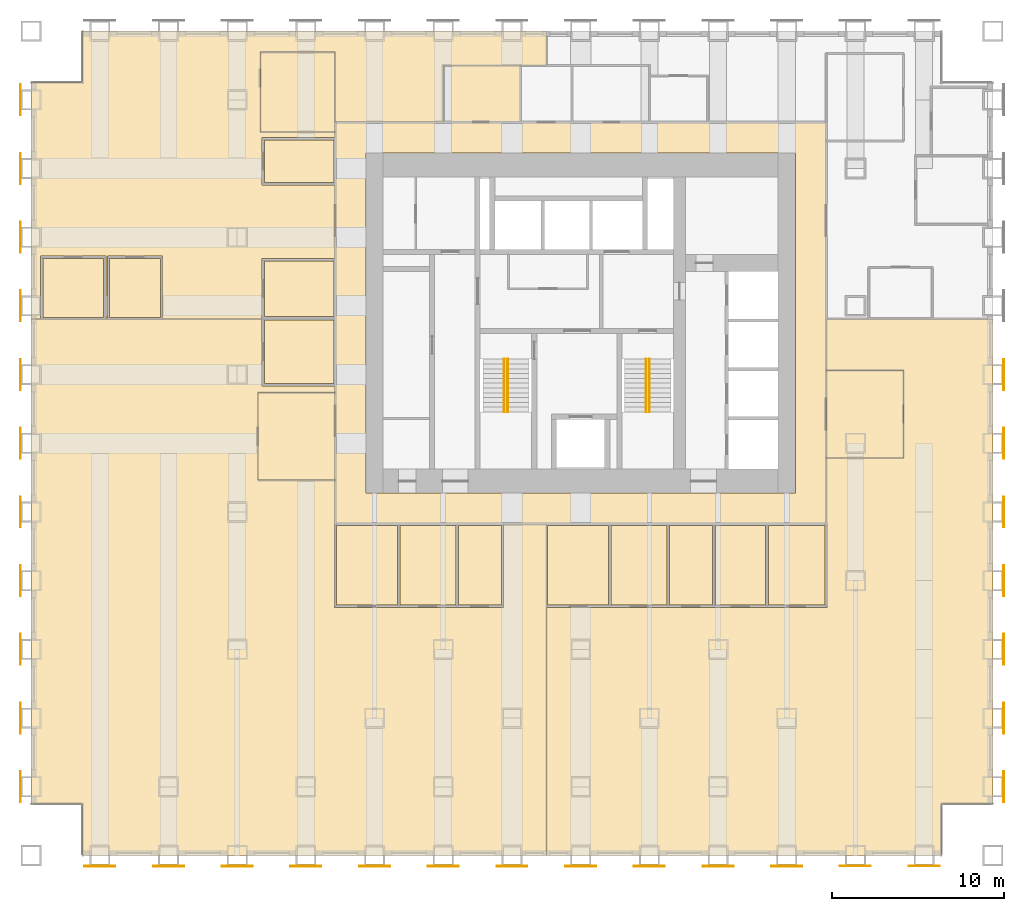
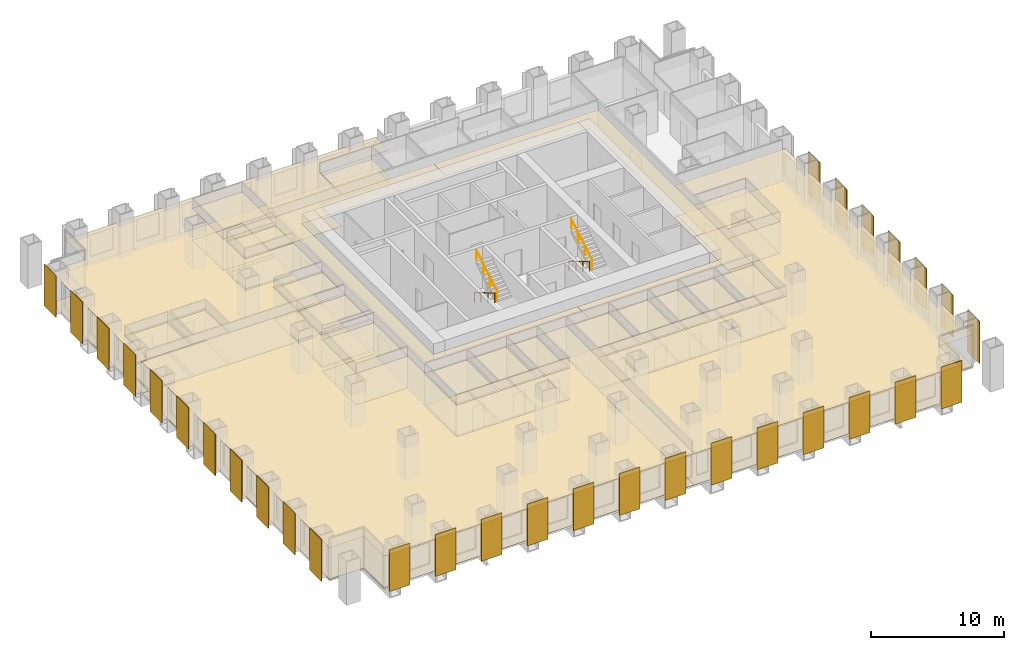
# One storey, part 13 of 14: 41 coverings, 31 shading devices, 4 railings.
"""IFC4 building model written with IfcOpenShell, lengths in metres."""

from ifc_helpers import new_model, si_unit, direction, frame, origin, origin_2d, place, context, subcontext, project, spatial, polyline, rectangle, circle, outline, extrude, material, layer, layer_set, type_object, element, save


model = new_model("IFC4")

# Units and contexts
model_context = context("Model", 3, precision=1e-05, world=origin(), true_north=direction((0.0, 1.0)))
body_context = subcontext(model_context, "Body", "Model", "MODEL_VIEW")
ifc_project = project(units=[si_unit("LENGTHUNIT", "METRE"), si_unit("AREAUNIT", "SQUARE_METRE"), si_unit("VOLUMEUNIT", "CUBIC_METRE"), si_unit("PLANEANGLEUNIT", "RADIAN"), si_unit("MASSUNIT", "GRAM", prefix="KILO")], contexts=[model_context])

# Site, building, storey
site_placement = place(None, origin())
site = spatial("IfcSite", under=ifc_project, at=site_placement, CompositionType="ELEMENT")
building_placement = place(site_placement, origin())
building = spatial("IfcBuilding", under=site, at=building_placement, Name="Rimbunsela Tower", CompositionType="ELEMENT")
storey_placement = place(building_placement, frame((0.0, 0.0, 15.0)))
storey = spatial("IfcBuildingStorey", under=building, at=storey_placement, Name="L03", CompositionType="ELEMENT", Elevation=15.0)

# Coverings
ifc_material_1 = material(Name="Nylon carpet tile", Category="textile")
ifc_layer_1 = layer(ifc_material_1, 0.010009765625)
ifc_layer_set_1 = layer_set([ifc_layer_1], Name="Carpet tile 10")
covering_type_1 = type_object("IfcCoveringType", Name="Carpet tile 10", PredefinedType="FLOORING", material=ifc_layer_set_1)
covering_1_placement = place(storey_placement, origin())
element("IfcCovering", 1, at=covering_1_placement, inside=storey, type_object=covering_type_1, Name="Floor finish Open office", PredefinedType="FLOORING", context=body_context, shape_type="SweptSolid", body=[
    extrude(outline(polyline([(19.449951171875, 10.449951171875), (22.75, 10.449951171875), (22.85009765625, 10.449951171875), (25.5, 10.449951171875), (25.5, 15.300048828125), (27.9990234375, 15.300048828125), (27.9990234375, -4.0), (15.699951171875, -4.0), (1.0, -4.0), (1.0, -1.0), (-2.0, -1.0), (-2.0, 27.2490234375), (11.449951171875, 27.2490234375), (11.449951171875, 23.35009765625), (15.699951171875, 23.35009765625), (15.699951171875, 22.949951171875), (11.199951171875, 22.949951171875), (11.199951171875, 17.85009765625), (15.699951171875, 17.85009765625), (15.699951171875, 15.35009765625), (15.64990234375, 15.35009765625), (15.64990234375, 10.449951171875), (15.699951171875, 10.449951171875), (19.35009765625, 10.449951171875), (19.449951171875, 10.449951171875)])), origin(), (0.0, 0.0, 1.0), 0.010009765625),
])
covering_2_placement = place(storey_placement, origin())
element("IfcCovering", 2, at=covering_2_placement, inside=storey, type_object=covering_type_1, Name="Floor finish Open office", PredefinedType="FLOORING", context=body_context, shape_type="SweptSolid", body=[
    extrude(outline(polyline([(15.699951171875, 42.77490234375), (11.35009765625, 42.77490234375), (11.35009765625, 38.125), (15.699951171875, 38.125), (15.699951171875, 37.800048828125), (11.449951171875, 37.800048828125), (11.449951171875, 35.050048828125), (15.699951171875, 35.050048828125), (15.699951171875, 30.75), (11.449951171875, 30.75), (11.449951171875, 27.2509765625), (5.64990234375, 27.2509765625), (5.64990234375, 30.89990234375), (2.449951171875, 30.89990234375), (2.449951171875, 27.2509765625), (2.35009765625, 27.2509765625), (2.35009765625, 30.89990234375), (-1.449951171875, 30.89990234375), (-1.449951171875, 27.2509765625), (-2.0, 27.2509765625), (-2.0, 41.0), (1.0, 41.0), (1.0, 44.0), (15.699951171875, 44.0), (27.9990234375, 44.0), (27.9990234375, 42.0), (22.0, 42.0), (22.0, 38.699951171875), (15.699951171875, 38.699951171875), (15.699951171875, 42.77490234375)])), origin(), (0.0, 0.0, 1.0), 0.010009765625),
])
covering_3_placement = place(storey_placement, origin())
element("IfcCovering", 3, at=covering_3_placement, inside=storey, type_object=covering_type_1, Name="Floor finish Open office", PredefinedType="FLOORING", context=body_context, shape_type="SweptSolid", body=[
    extrude(outline(polyline([(28.0009765625, 10.449951171875), (31.65087890625, 10.449951171875), (31.7509765625, 10.449951171875), (35.051025390625, 10.449951171875), (35.15087890625, 10.449951171875), (37.700927734375, 10.449951171875), (37.801025390625, 10.449951171875), (40.801025390625, 10.449951171875), (40.90087890625, 10.449951171875), (44.300048828125, 10.449951171875), (44.35009765625, 10.449951171875), (44.35009765625, 15.35009765625), (44.300048828125, 15.35009765625), (44.300048828125, 19.14990234375), (48.800048828125, 19.14990234375), (48.800048828125, 24.25), (44.300048828125, 24.25), (44.300048828125, 27.2490234375), (54.0, 27.2490234375), (54.0, -1.0), (51.0, -1.0), (51.0, -4.0), (44.300048828125, -4.0), (28.0009765625, -4.0), (28.0009765625, 10.449951171875)])), origin(), (0.0, 0.0, 1.0), 0.010009765625),
])
covering_4_placement = place(storey_placement, origin())
element("IfcCovering", 4, at=covering_4_placement, inside=storey, type_object=covering_type_1, Name="Floor finish Reception", PredefinedType="FLOORING", context=body_context, shape_type="SweptSolid", body=[
    extrude(outline(polyline([(15.699951171875, 17.85009765625), (15.699951171875, 22.949951171875), (11.199951171875, 22.949951171875), (11.199951171875, 17.85009765625), (15.699951171875, 17.85009765625)])), origin(), (0.0, 0.0, 1.0), 0.010009765625),
])
covering_5_placement = place(storey_placement, origin())
element("IfcCovering", 5, at=covering_5_placement, inside=storey, type_object=covering_type_1, Name="Floor finish Reception", PredefinedType="FLOORING", context=body_context, shape_type="SweptSolid", body=[
    extrude(outline(polyline([(15.699951171875, 38.125), (15.699951171875, 42.77490234375), (11.35009765625, 42.77490234375), (11.35009765625, 38.125), (15.699951171875, 38.125)])), origin(), (0.0, 0.0, 1.0), 0.010009765625),
])
covering_6_placement = place(storey_placement, origin())
element("IfcCovering", 6, at=covering_6_placement, inside=storey, type_object=covering_type_1, Name="Floor finish Reception", PredefinedType="FLOORING", context=body_context, shape_type="SweptSolid", body=[
    extrude(outline(polyline([(48.800048828125, 19.14990234375), (48.800048828125, 24.25), (44.300048828125, 24.25), (44.300048828125, 19.14990234375), (48.800048828125, 19.14990234375)])), origin(), (0.0, 0.0, 1.0), 0.010009765625),
])
covering_7_placement = place(storey_placement, origin())
element("IfcCovering", 7, at=covering_7_placement, inside=storey, type_object=covering_type_1, Name="Floor finish Meeting room", PredefinedType="FLOORING", context=body_context, shape_type="SweptSolid", body=[
    extrude(outline(polyline([(19.324951171875, 10.574951171875), (19.324951171875, 15.22509765625), (15.77490234375, 15.22509765625), (15.77490234375, 10.574951171875), (19.324951171875, 10.574951171875)])), origin(), (0.0, 0.0, 1.0), 0.010009765625),
])
covering_8_placement = place(storey_placement, origin())
element("IfcCovering", 8, at=covering_8_placement, inside=storey, type_object=covering_type_1, Name="Floor finish Pantry", PredefinedType="FLOORING", context=body_context, shape_type="SweptSolid", body=[
    extrude(outline(polyline([(22.72509765625, 10.574951171875), (22.72509765625, 15.22509765625), (19.47509765625, 15.22509765625), (19.47509765625, 10.574951171875), (22.72509765625, 10.574951171875)])), origin(), (0.0, 0.0, 1.0), 0.010009765625),
])
covering_9_placement = place(storey_placement, origin())
element("IfcCovering", 9, at=covering_9_placement, inside=storey, type_object=covering_type_1, Name="Floor finish Print and copy room", PredefinedType="FLOORING", context=body_context, shape_type="SweptSolid", body=[
    extrude(outline(polyline([(25.375, 10.574951171875), (25.375, 15.22509765625), (22.875, 15.22509765625), (22.875, 10.574951171875), (25.375, 10.574951171875)])), origin(), (0.0, 0.0, 1.0), 0.010009765625),
])
covering_10_placement = place(storey_placement, origin())
element("IfcCovering", 10, at=covering_10_placement, inside=storey, type_object=covering_type_1, Name="Floor finish Office", PredefinedType="FLOORING", context=body_context, shape_type="SweptSolid", body=[
    extrude(outline(polyline([(15.625, 23.47509765625), (15.625, 27.174072265625), (11.574951171875, 27.174072265625), (11.574951171875, 23.47509765625), (15.625, 23.47509765625)])), origin(), (0.0, 0.0, 1.0), 0.010009765625),
])
covering_11_placement = place(storey_placement, origin())
element("IfcCovering", 11, at=covering_11_placement, inside=storey, type_object=covering_type_1, Name="Floor finish Meeting room", PredefinedType="FLOORING", context=body_context, shape_type="SweptSolid", body=[
    extrude(outline(polyline([(31.6259765625, 10.574951171875), (31.6259765625, 15.22509765625), (28.075927734375, 15.22509765625), (28.075927734375, 10.574951171875), (31.6259765625, 10.574951171875)])), origin(), (0.0, 0.0, 1.0), 0.010009765625),
])
covering_12_placement = place(storey_placement, origin())
element("IfcCovering", 12, at=covering_12_placement, inside=storey, type_object=covering_type_1, Name="Floor finish Pantry", PredefinedType="FLOORING", context=body_context, shape_type="SweptSolid", body=[
    extrude(outline(polyline([(35.02587890625, 10.574951171875), (35.02587890625, 15.22509765625), (31.77587890625, 15.22509765625), (31.77587890625, 10.574951171875), (35.02587890625, 10.574951171875)])), origin(), (0.0, 0.0, 1.0), 0.010009765625),
])
covering_13_placement = place(storey_placement, origin())
element("IfcCovering", 13, at=covering_13_placement, inside=storey, type_object=covering_type_1, Name="Floor finish Print and copy room", PredefinedType="FLOORING", context=body_context, shape_type="SweptSolid", body=[
    extrude(outline(polyline([(37.676025390625, 10.574951171875), (37.676025390625, 15.22509765625), (35.176025390625, 15.22509765625), (35.176025390625, 10.574951171875), (37.676025390625, 10.574951171875)])), origin(), (0.0, 0.0, 1.0), 0.010009765625),
])
covering_14_placement = place(storey_placement, origin())
element("IfcCovering", 14, at=covering_14_placement, inside=storey, type_object=covering_type_1, Name="Floor finish Office", PredefinedType="FLOORING", context=body_context, shape_type="SweptSolid", body=[
    extrude(outline(polyline([(40.77587890625, 10.574951171875), (40.77587890625, 15.22509765625), (37.825927734375, 15.22509765625), (37.825927734375, 10.574951171875), (40.77587890625, 10.574951171875)])), origin(), (0.0, 0.0, 1.0), 0.010009765625),
])
covering_15_placement = place(storey_placement, origin())
element("IfcCovering", 15, at=covering_15_placement, inside=storey, type_object=covering_type_1, Name="Floor finish Focus room", PredefinedType="FLOORING", context=body_context, shape_type="SweptSolid", body=[
    extrude(outline(polyline([(44.22509765625, 10.574951171875), (44.22509765625, 15.22509765625), (40.926025390625, 15.22509765625), (40.926025390625, 10.574951171875), (44.22509765625, 10.574951171875)])), origin(), (0.0, 0.0, 1.0), 0.010009765625),
])
covering_16_placement = place(storey_placement, origin())
element("IfcCovering", 16, at=covering_16_placement, inside=storey, type_object=covering_type_1, Name="Floor finish Meeting room", PredefinedType="FLOORING", context=body_context, shape_type="SweptSolid", body=[
    extrude(outline(polyline([(2.22509765625, 27.324951171875), (2.22509765625, 30.77490234375), (-1.324951171875, 30.77490234375), (-1.324951171875, 27.324951171875), (2.22509765625, 27.324951171875)])), origin(), (0.0, 0.0, 1.0), 0.010009765625),
])
covering_17_placement = place(storey_placement, origin())
element("IfcCovering", 17, at=covering_17_placement, inside=storey, type_object=covering_type_1, Name="Floor finish Pantry", PredefinedType="FLOORING", context=body_context, shape_type="SweptSolid", body=[
    extrude(outline(polyline([(15.625, 27.375), (15.625, 30.625), (11.574951171875, 30.625), (11.574951171875, 27.375), (15.625, 27.375)])), origin(), (0.0, 0.0, 1.0), 0.010009765625),
])
covering_18_placement = place(storey_placement, origin())
element("IfcCovering", 18, at=covering_18_placement, inside=storey, type_object=covering_type_1, Name="Floor finish Print and copy room", PredefinedType="FLOORING", context=body_context, shape_type="SweptSolid", body=[
    extrude(outline(polyline([(15.625, 35.175048828125), (15.625, 37.675048828125), (11.574951171875, 37.675048828125), (11.574951171875, 35.175048828125), (15.625, 35.175048828125)])), origin(), (0.0, 0.0, 1.0), 0.010009765625),
])
covering_19_placement = place(storey_placement, origin())
element("IfcCovering", 19, at=covering_19_placement, inside=storey, type_object=covering_type_1, Name="Floor finish Office", PredefinedType="FLOORING", context=body_context, shape_type="SweptSolid", body=[
    extrude(outline(polyline([(5.52490234375, 27.324951171875), (5.52490234375, 30.77490234375), (2.574951171875, 30.77490234375), (2.574951171875, 27.324951171875), (5.52490234375, 27.324951171875)])), origin(), (0.0, 0.0, 1.0), 0.010009765625),
])
ifc_material_2 = material(Name="Mineral fibre ceiling tile", Category="gypsum")
ifc_layer_2 = layer(ifc_material_2, 0.02001953125)
ifc_layer_set_2 = layer_set([ifc_layer_2], Name="Ceiling 600 grid")
covering_type_2 = type_object("IfcCoveringType", Name="Ceiling 600 grid", PredefinedType="CEILING", material=ifc_layer_set_2)
covering_20_placement = place(storey_placement, frame((0.0, 0.0, 2.89990234375)))
element("IfcCovering", 20, at=covering_20_placement, inside=storey, type_object=covering_type_2, Name="Ceiling Ring corridor", PredefinedType="CEILING", context=body_context, shape_type="SweptSolid", body=[
    extrude(outline(polyline([(15.699951171875, 38.699951171875), (30.0, 38.699951171875), (30.0, 36.89990234375), (17.5, 36.89990234375), (17.5, 17.10009765625), (30.0, 17.10009765625), (30.0, 15.300048828125), (15.699951171875, 15.300048828125), (15.699951171875, 38.699951171875)])), origin(), (0.0, 0.0, 1.0), 0.02001953125),
])
covering_21_placement = place(storey_placement, frame((0.0, 0.0, 2.89990234375)))
element("IfcCovering", 21, at=covering_21_placement, inside=storey, type_object=covering_type_2, Name="Ceiling Ring corridor", PredefinedType="CEILING", context=body_context, shape_type="SweptSolid", body=[
    extrude(outline(polyline([(44.300048828125, 38.699951171875), (44.300048828125, 15.300048828125), (30.0, 15.300048828125), (30.0, 17.10009765625), (42.5, 17.10009765625), (42.5, 36.89990234375), (30.0, 36.89990234375), (30.0, 38.699951171875), (44.300048828125, 38.699951171875)])), origin(), (0.0, 0.0, 1.0), 0.02001953125),
])
covering_22_placement = place(storey_placement, frame((0.0, 0.0, 2.89990234375)))
element("IfcCovering", 22, at=covering_22_placement, inside=storey, type_object=covering_type_2, Name="Ceiling Open office", PredefinedType="CEILING", context=body_context, shape_type="SweptSolid", body=[
    extrude(outline(polyline([(19.449951171875, 10.449951171875), (22.75, 10.449951171875), (22.85009765625, 10.449951171875), (25.5, 10.449951171875), (25.5, 15.300048828125), (27.9990234375, 15.300048828125), (27.9990234375, -4.0), (15.699951171875, -4.0), (1.0, -4.0), (1.0, -1.0), (-2.0, -1.0), (-2.0, 27.2490234375), (11.449951171875, 27.2490234375), (11.449951171875, 23.35009765625), (15.699951171875, 23.35009765625), (15.699951171875, 22.949951171875), (11.199951171875, 22.949951171875), (11.199951171875, 17.85009765625), (15.699951171875, 17.85009765625), (15.699951171875, 15.35009765625), (15.64990234375, 15.35009765625), (15.64990234375, 10.449951171875), (15.699951171875, 10.449951171875), (19.35009765625, 10.449951171875), (19.449951171875, 10.449951171875)])), origin(), (0.0, 0.0, 1.0), 0.02001953125),
])
covering_23_placement = place(storey_placement, frame((0.0, 0.0, 2.89990234375)))
element("IfcCovering", 23, at=covering_23_placement, inside=storey, type_object=covering_type_2, Name="Ceiling Open office", PredefinedType="CEILING", context=body_context, shape_type="SweptSolid", body=[
    extrude(outline(polyline([(15.699951171875, 42.77490234375), (11.35009765625, 42.77490234375), (11.35009765625, 38.125), (15.699951171875, 38.125), (15.699951171875, 37.800048828125), (11.449951171875, 37.800048828125), (11.449951171875, 35.050048828125), (15.699951171875, 35.050048828125), (15.699951171875, 30.75), (11.449951171875, 30.75), (11.449951171875, 27.2509765625), (5.64990234375, 27.2509765625), (5.64990234375, 30.89990234375), (2.449951171875, 30.89990234375), (2.449951171875, 27.2509765625), (2.35009765625, 27.2509765625), (2.35009765625, 30.89990234375), (-1.449951171875, 30.89990234375), (-1.449951171875, 27.2509765625), (-2.0, 27.2509765625), (-2.0, 41.0), (1.0, 41.0), (1.0, 44.0), (15.699951171875, 44.0), (27.9990234375, 44.0), (27.9990234375, 42.0), (22.0, 42.0), (22.0, 38.699951171875), (15.699951171875, 38.699951171875), (15.699951171875, 42.77490234375)])), origin(), (0.0, 0.0, 1.0), 0.02001953125),
])
covering_24_placement = place(storey_placement, frame((0.0, 0.0, 2.89990234375)))
element("IfcCovering", 24, at=covering_24_placement, inside=storey, type_object=covering_type_2, Name="Ceiling Open office", PredefinedType="CEILING", context=body_context, shape_type="SweptSolid", body=[
    extrude(outline(polyline([(28.0009765625, 10.449951171875), (31.65087890625, 10.449951171875), (31.7509765625, 10.449951171875), (35.051025390625, 10.449951171875), (35.15087890625, 10.449951171875), (37.700927734375, 10.449951171875), (37.801025390625, 10.449951171875), (40.801025390625, 10.449951171875), (40.90087890625, 10.449951171875), (44.300048828125, 10.449951171875), (44.35009765625, 10.449951171875), (44.35009765625, 15.35009765625), (44.300048828125, 15.35009765625), (44.300048828125, 19.14990234375), (48.800048828125, 19.14990234375), (48.800048828125, 24.25), (44.300048828125, 24.25), (44.300048828125, 27.2490234375), (54.0, 27.2490234375), (54.0, -1.0), (51.0, -1.0), (51.0, -4.0), (44.300048828125, -4.0), (28.0009765625, -4.0), (28.0009765625, 10.449951171875)])), origin(), (0.0, 0.0, 1.0), 0.02001953125),
])
covering_25_placement = place(storey_placement, frame((0.0, 0.0, 2.89990234375)))
element("IfcCovering", 25, at=covering_25_placement, inside=storey, type_object=covering_type_2, Name="Ceiling Reception", PredefinedType="CEILING", context=body_context, shape_type="SweptSolid", body=[
    extrude(outline(polyline([(15.699951171875, 17.85009765625), (15.699951171875, 22.949951171875), (11.199951171875, 22.949951171875), (11.199951171875, 17.85009765625), (15.699951171875, 17.85009765625)])), origin(), (0.0, 0.0, 1.0), 0.02001953125),
])
covering_26_placement = place(storey_placement, frame((0.0, 0.0, 2.89990234375)))
element("IfcCovering", 26, at=covering_26_placement, inside=storey, type_object=covering_type_2, Name="Ceiling Reception", PredefinedType="CEILING", context=body_context, shape_type="SweptSolid", body=[
    extrude(outline(polyline([(15.699951171875, 38.125), (15.699951171875, 42.77490234375), (11.35009765625, 42.77490234375), (11.35009765625, 38.125), (15.699951171875, 38.125)])), origin(), (0.0, 0.0, 1.0), 0.02001953125),
])
covering_27_placement = place(storey_placement, frame((0.0, 0.0, 2.89990234375)))
element("IfcCovering", 27, at=covering_27_placement, inside=storey, type_object=covering_type_2, Name="Ceiling Reception", PredefinedType="CEILING", context=body_context, shape_type="SweptSolid", body=[
    extrude(outline(polyline([(48.800048828125, 19.14990234375), (48.800048828125, 24.25), (44.300048828125, 24.25), (44.300048828125, 19.14990234375), (48.800048828125, 19.14990234375)])), origin(), (0.0, 0.0, 1.0), 0.02001953125),
])
covering_28_placement = place(storey_placement, frame((0.0, 0.0, 2.89990234375)))
element("IfcCovering", 28, at=covering_28_placement, inside=storey, type_object=covering_type_2, Name="Ceiling Meeting room", PredefinedType="CEILING", context=body_context, shape_type="SweptSolid", body=[
    extrude(outline(polyline([(19.324951171875, 10.574951171875), (19.324951171875, 15.22509765625), (15.77490234375, 15.22509765625), (15.77490234375, 10.574951171875), (19.324951171875, 10.574951171875)])), origin(), (0.0, 0.0, 1.0), 0.02001953125),
])
covering_29_placement = place(storey_placement, frame((0.0, 0.0, 2.89990234375)))
element("IfcCovering", 29, at=covering_29_placement, inside=storey, type_object=covering_type_2, Name="Ceiling Pantry", PredefinedType="CEILING", context=body_context, shape_type="SweptSolid", body=[
    extrude(outline(polyline([(22.72509765625, 10.574951171875), (22.72509765625, 15.22509765625), (19.47509765625, 15.22509765625), (19.47509765625, 10.574951171875), (22.72509765625, 10.574951171875)])), origin(), (0.0, 0.0, 1.0), 0.02001953125),
])
covering_30_placement = place(storey_placement, frame((0.0, 0.0, 2.89990234375)))
element("IfcCovering", 30, at=covering_30_placement, inside=storey, type_object=covering_type_2, Name="Ceiling Print and copy room", PredefinedType="CEILING", context=body_context, shape_type="SweptSolid", body=[
    extrude(outline(polyline([(25.375, 10.574951171875), (25.375, 15.22509765625), (22.875, 15.22509765625), (22.875, 10.574951171875), (25.375, 10.574951171875)])), origin(), (0.0, 0.0, 1.0), 0.02001953125),
])
covering_31_placement = place(storey_placement, frame((0.0, 0.0, 2.89990234375)))
element("IfcCovering", 31, at=covering_31_placement, inside=storey, type_object=covering_type_2, Name="Ceiling Office", PredefinedType="CEILING", context=body_context, shape_type="SweptSolid", body=[
    extrude(outline(polyline([(15.625, 23.47509765625), (15.625, 27.174072265625), (11.574951171875, 27.174072265625), (11.574951171875, 23.47509765625), (15.625, 23.47509765625)])), origin(), (0.0, 0.0, 1.0), 0.02001953125),
])
covering_32_placement = place(storey_placement, frame((0.0, 0.0, 2.89990234375)))
element("IfcCovering", 32, at=covering_32_placement, inside=storey, type_object=covering_type_2, Name="Ceiling Meeting room", PredefinedType="CEILING", context=body_context, shape_type="SweptSolid", body=[
    extrude(outline(polyline([(31.6259765625, 10.574951171875), (31.6259765625, 15.22509765625), (28.075927734375, 15.22509765625), (28.075927734375, 10.574951171875), (31.6259765625, 10.574951171875)])), origin(), (0.0, 0.0, 1.0), 0.02001953125),
])
covering_33_placement = place(storey_placement, frame((0.0, 0.0, 2.89990234375)))
element("IfcCovering", 33, at=covering_33_placement, inside=storey, type_object=covering_type_2, Name="Ceiling Pantry", PredefinedType="CEILING", context=body_context, shape_type="SweptSolid", body=[
    extrude(outline(polyline([(35.02587890625, 10.574951171875), (35.02587890625, 15.22509765625), (31.77587890625, 15.22509765625), (31.77587890625, 10.574951171875), (35.02587890625, 10.574951171875)])), origin(), (0.0, 0.0, 1.0), 0.02001953125),
])
covering_34_placement = place(storey_placement, frame((0.0, 0.0, 2.89990234375)))
element("IfcCovering", 34, at=covering_34_placement, inside=storey, type_object=covering_type_2, Name="Ceiling Print and copy room", PredefinedType="CEILING", context=body_context, shape_type="SweptSolid", body=[
    extrude(outline(polyline([(37.676025390625, 10.574951171875), (37.676025390625, 15.22509765625), (35.176025390625, 15.22509765625), (35.176025390625, 10.574951171875), (37.676025390625, 10.574951171875)])), origin(), (0.0, 0.0, 1.0), 0.02001953125),
])
covering_35_placement = place(storey_placement, frame((0.0, 0.0, 2.89990234375)))
element("IfcCovering", 35, at=covering_35_placement, inside=storey, type_object=covering_type_2, Name="Ceiling Office", PredefinedType="CEILING", context=body_context, shape_type="SweptSolid", body=[
    extrude(outline(polyline([(40.77587890625, 10.574951171875), (40.77587890625, 15.22509765625), (37.825927734375, 15.22509765625), (37.825927734375, 10.574951171875), (40.77587890625, 10.574951171875)])), origin(), (0.0, 0.0, 1.0), 0.02001953125),
])
covering_36_placement = place(storey_placement, frame((0.0, 0.0, 2.89990234375)))
element("IfcCovering", 36, at=covering_36_placement, inside=storey, type_object=covering_type_2, Name="Ceiling Focus room", PredefinedType="CEILING", context=body_context, shape_type="SweptSolid", body=[
    extrude(outline(polyline([(44.22509765625, 10.574951171875), (44.22509765625, 15.22509765625), (40.926025390625, 15.22509765625), (40.926025390625, 10.574951171875), (44.22509765625, 10.574951171875)])), origin(), (0.0, 0.0, 1.0), 0.02001953125),
])
covering_37_placement = place(storey_placement, frame((0.0, 0.0, 2.89990234375)))
element("IfcCovering", 37, at=covering_37_placement, inside=storey, type_object=covering_type_2, Name="Ceiling Meeting room", PredefinedType="CEILING", context=body_context, shape_type="SweptSolid", body=[
    extrude(outline(polyline([(2.22509765625, 27.324951171875), (2.22509765625, 30.77490234375), (-1.324951171875, 30.77490234375), (-1.324951171875, 27.324951171875), (2.22509765625, 27.324951171875)])), origin(), (0.0, 0.0, 1.0), 0.02001953125),
])
covering_38_placement = place(storey_placement, frame((0.0, 0.0, 2.89990234375)))
element("IfcCovering", 38, at=covering_38_placement, inside=storey, type_object=covering_type_2, Name="Ceiling Pantry", PredefinedType="CEILING", context=body_context, shape_type="SweptSolid", body=[
    extrude(outline(polyline([(15.625, 27.375), (15.625, 30.625), (11.574951171875, 30.625), (11.574951171875, 27.375), (15.625, 27.375)])), origin(), (0.0, 0.0, 1.0), 0.02001953125),
])
covering_39_placement = place(storey_placement, frame((0.0, 0.0, 2.89990234375)))
element("IfcCovering", 39, at=covering_39_placement, inside=storey, type_object=covering_type_2, Name="Ceiling Print and copy room", PredefinedType="CEILING", context=body_context, shape_type="SweptSolid", body=[
    extrude(outline(polyline([(15.625, 35.175048828125), (15.625, 37.675048828125), (11.574951171875, 37.675048828125), (11.574951171875, 35.175048828125), (15.625, 35.175048828125)])), origin(), (0.0, 0.0, 1.0), 0.02001953125),
])
covering_40_placement = place(storey_placement, frame((0.0, 0.0, 2.89990234375)))
element("IfcCovering", 40, at=covering_40_placement, inside=storey, type_object=covering_type_2, Name="Ceiling Office", PredefinedType="CEILING", context=body_context, shape_type="SweptSolid", body=[
    extrude(outline(polyline([(5.52490234375, 27.324951171875), (5.52490234375, 30.77490234375), (2.574951171875, 30.77490234375), (2.574951171875, 27.324951171875), (5.52490234375, 27.324951171875)])), origin(), (0.0, 0.0, 1.0), 0.02001953125),
])
ifc_material_3 = material(Name="Moisture-resistant plasterboard ceiling", Category="gypsum")
ifc_layer_3 = layer(ifc_material_3, 0.012451171875)
ifc_layer_set_3 = layer_set([ifc_layer_3], Name="Ceiling moisture-resistant board")
covering_type_3 = type_object("IfcCoveringType", Name="Ceiling moisture-resistant board", PredefinedType="CEILING", material=ifc_layer_set_3)
covering_41_placement = place(storey_placement, frame((0.0, 0.0, 2.60009765625)))
element("IfcCovering", 41, at=covering_41_placement, inside=storey, type_object=covering_type_3, Name="Ceiling Female WC", PredefinedType="CEILING", context=body_context, shape_type="SweptSolid", body=[
    extrude(outline(polyline([(26.5, 38.699951171875), (26.5, 42.0), (22.0, 42.0), (22.0, 38.699951171875), (26.5, 38.699951171875)])), origin(), (0.0, 0.0, 1.0), 0.02001953125),
])

# Shading devices
ifc_material_4 = material(Name="Perforated aluminium, 35 % open area", Category="aluminium")
ifc_layer_4 = layer(ifc_material_4, 0.050048828125)
ifc_layer_set_4 = layer_set([ifc_layer_4], Name="Solar screen panel 1800")
shading_device_type = type_object("IfcShadingDeviceType", Name="Solar screen panel 1800", PredefinedType="USERDEFINED", material=ifc_layer_set_4)
for number, where, z_axis, x_axis, name in (
    (42, (2.0, -4.625, 0.0), (0.0, 0.0, 1.0), (1.0, 0.0, 0.0), "Solar screen S L03"),
    (43, (6.0, -4.625, 0.0), (0.0, 0.0, 1.0), (1.0, 0.0, 0.0), "Solar screen S L03"),
    (44, (10.0, -4.625, 0.0), (0.0, 0.0, 1.0), (1.0, 0.0, 0.0), "Solar screen S L03"),
    (45, (14.0, -4.625, 0.0), (0.0, 0.0, 1.0), (1.0, 0.0, 0.0), "Solar screen S L03"),
    (46, (18.0, -4.625, 0.0), (0.0, 0.0, 1.0), (1.0, 0.0, 0.0), "Solar screen S L03"),
    (47, (22.0, -4.625, 0.0), (0.0, 0.0, 1.0), (1.0, 0.0, 0.0), "Solar screen S L03"),
    (48, (26.0, -4.625, 0.0), (0.0, 0.0, 1.0), (1.0, 0.0, 0.0), "Solar screen S L03"),
    (49, (30.0, -4.625, 0.0), (0.0, 0.0, 1.0), (1.0, 0.0, 0.0), "Solar screen S L03"),
    (50, (34.0, -4.625, 0.0), (0.0, 0.0, 1.0), (1.0, 0.0, 0.0), "Solar screen S L03"),
    (51, (38.0, -4.625, 0.0), (0.0, 0.0, 1.0), (1.0, 0.0, 0.0), "Solar screen S L03"),
    (52, (42.0, -4.625, 0.0), (0.0, 0.0, 1.0), (1.0, 0.0, 0.0), "Solar screen S L03"),
    (53, (46.0, -4.625, 0.0), (0.0, 0.0, 1.0), (1.0, 0.0, 0.0), "Solar screen S L03"),
    (54, (50.0, -4.625, 0.0), (0.0, 0.0, 1.0), (1.0, 0.0, 0.0), "Solar screen S L03"),
    (55, (54.625, 0.0, 0.0), (0.0, 0.0, 1.0), (0.0, 1.0, 0.0), "Solar screen E L03"),
    (56, (54.625, 4.0, 0.0), (0.0, 0.0, 1.0), (0.0, 1.0, 0.0), "Solar screen E L03"),
    (57, (54.625, 8.0, 0.0), (0.0, 0.0, 1.0), (0.0, 1.0, 0.0), "Solar screen E L03"),
    (58, (54.625, 12.0, 0.0), (0.0, 0.0, 1.0), (0.0, 1.0, 0.0), "Solar screen E L03"),
    (59, (54.625, 16.0, 0.0), (0.0, 0.0, 1.0), (0.0, 1.0, 0.0), "Solar screen E L03"),
    (60, (54.625, 20.0, 0.0), (0.0, 0.0, 1.0), (0.0, 1.0, 0.0), "Solar screen E L03"),
    (61, (54.625, 24.0, 0.0), (0.0, 0.0, 1.0), (0.0, 1.0, 0.0), "Solar screen E L03"),
    (62, (-2.625, 0.0, 0.0), (0.0, 0.0, 1.0), (0.0, 1.0, 0.0), "Solar screen W L03"),
    (63, (-2.625, 4.0, 0.0), (0.0, 0.0, 1.0), (0.0, 1.0, 0.0), "Solar screen W L03"),
    (64, (-2.625, 8.0, 0.0), (0.0, 0.0, 1.0), (0.0, 1.0, 0.0), "Solar screen W L03"),
    (65, (-2.625, 12.0, 0.0), (0.0, 0.0, 1.0), (0.0, 1.0, 0.0), "Solar screen W L03"),
    (66, (-2.625, 16.0, 0.0), (0.0, 0.0, 1.0), (0.0, 1.0, 0.0), "Solar screen W L03"),
    (67, (-2.625, 20.0, 0.0), (0.0, 0.0, 1.0), (0.0, 1.0, 0.0), "Solar screen W L03"),
    (68, (-2.625, 24.0, 0.0), (0.0, 0.0, 1.0), (0.0, 1.0, 0.0), "Solar screen W L03"),
    (69, (-2.625, 28.0, 0.0), (0.0, 0.0, 1.0), (0.0, 1.0, 0.0), "Solar screen W L03"),
    (70, (-2.625, 32.0, 0.0), (0.0, 0.0, 1.0), (0.0, 1.0, 0.0), "Solar screen W L03"),
    (71, (-2.625, 36.0, 0.0), (0.0, 0.0, 1.0), (0.0, 1.0, 0.0), "Solar screen W L03"),
    (72, (-2.625, 40.0, 0.0), (0.0, 0.0, 1.0), (0.0, 1.0, 0.0), "Solar screen W L03"),
):
    element("IfcShadingDevice", number, at=place(storey_placement, frame(where, z_axis=z_axis, x_axis=x_axis)), inside=storey, type_object=shading_device_type, Name=name, ObjectType="SCREEN", PredefinedType="USERDEFINED", context=body_context, shape_type="SweptSolid", body=[
        extrude(rectangle(XDim=1.800048828125, YDim=0.050048828125, at=origin_2d()), origin(), (0.0, 0.0, 1.0), 3.85009765625),
    ])

# Railings
ifc_material_5 = material(Name="Stainless steel tube", Category="steel")
railing_type = type_object("IfcRailingType", Name="Stair handrail 900", PredefinedType="HANDRAIL", material=ifc_material_5)
railing_1_placement = place(storey_placement, frame((25.550048828125, 24.89990234375, 0.166748046875)))
element("IfcRailing", 73, at=railing_1_placement, inside=storey, type_object=railing_type, Name="Handrail ST-A flight 1", PredefinedType="HANDRAIL", context=body_context, shape_type="SweptSolid", body=[
    extrude(circle(Radius=0.02392578125, at=origin_2d()), frame((0.0, 0.0, 0.8759765625), z_axis=(0.0, -0.859290745958, 0.51148745235), x_axis=(1.0, 0.0, 0.0)), (0.0, 0.0, 1.0), 3.584228515625),
    extrude(circle(Radius=0.02099609375, at=origin_2d()), origin(), (0.0, 0.0, 1.0), 0.851806640625),
    extrude(circle(Radius=0.02099609375, at=origin_2d()), frame((0.0, -1.026611328125, 0.611083984375)), (0.0, 0.0, 1.0), 0.851806640625),
    extrude(circle(Radius=0.02099609375, at=origin_2d()), frame((0.0, -2.05322265625, 1.22216796875)), (0.0, 0.0, 1.0), 0.851806640625),
    extrude(circle(Radius=0.02099609375, at=origin_2d()), frame((0.0, -3.079833984375, 1.833251953125)), (0.0, 0.0, 1.0), 0.851806640625),
])
railing_2_placement = place(storey_placement, frame((25.75, 21.820068359375, 2.166748046875)))
element("IfcRailing", 74, at=railing_2_placement, inside=storey, type_object=railing_type, Name="Handrail ST-A flight 2", PredefinedType="HANDRAIL", context=body_context, shape_type="SweptSolid", body=[
    extrude(circle(Radius=0.02392578125, at=origin_2d()), frame((0.0, 0.0, 0.8759765625), z_axis=(0.0, 0.859290745958, 0.51148745235), x_axis=(-1.0, 0.0, 0.0)), (0.0, 0.0, 1.0), 3.584228515625),
    extrude(circle(Radius=0.02099609375, at=origin_2d()), origin(), (0.0, 0.0, 1.0), 0.851806640625),
    extrude(circle(Radius=0.02099609375, at=origin_2d()), frame((0.0, 1.026611328125, 0.611083984375)), (0.0, 0.0, 1.0), 0.851806640625),
    extrude(circle(Radius=0.02099609375, at=origin_2d()), frame((0.0, 2.05322265625, 1.22216796875)), (0.0, 0.0, 1.0), 0.851806640625),
    extrude(circle(Radius=0.02099609375, at=origin_2d()), frame((0.0, 3.079833984375, 1.833251953125)), (0.0, 0.0, 1.0), 0.851806640625),
])
railing_3_placement = place(storey_placement, frame((33.800048828125, 24.89990234375, 0.166748046875)))
element("IfcRailing", 75, at=railing_3_placement, inside=storey, type_object=railing_type, Name="Handrail ST-B flight 1", PredefinedType="HANDRAIL", context=body_context, shape_type="SweptSolid", body=[
    extrude(circle(Radius=0.02392578125, at=origin_2d()), frame((0.0, 0.0, 0.8759765625), z_axis=(0.0, -0.859290745958, 0.51148745235), x_axis=(1.0, 0.0, 0.0)), (0.0, 0.0, 1.0), 3.584228515625),
    extrude(circle(Radius=0.02099609375, at=origin_2d()), origin(), (0.0, 0.0, 1.0), 0.851806640625),
    extrude(circle(Radius=0.02099609375, at=origin_2d()), frame((0.0, -1.026611328125, 0.611083984375)), (0.0, 0.0, 1.0), 0.851806640625),
    extrude(circle(Radius=0.02099609375, at=origin_2d()), frame((0.0, -2.05322265625, 1.22216796875)), (0.0, 0.0, 1.0), 0.851806640625),
    extrude(circle(Radius=0.02099609375, at=origin_2d()), frame((0.0, -3.079833984375, 1.833251953125)), (0.0, 0.0, 1.0), 0.851806640625),
])
railing_4_placement = place(storey_placement, frame((34.0, 21.820068359375, 2.166748046875)))
element("IfcRailing", 76, at=railing_4_placement, inside=storey, type_object=railing_type, Name="Handrail ST-B flight 2", PredefinedType="HANDRAIL", context=body_context, shape_type="SweptSolid", body=[
    extrude(circle(Radius=0.02392578125, at=origin_2d()), frame((0.0, 0.0, 0.8759765625), z_axis=(0.0, 0.859290745958, 0.51148745235), x_axis=(-1.0, 0.0, 0.0)), (0.0, 0.0, 1.0), 3.584228515625),
    extrude(circle(Radius=0.02099609375, at=origin_2d()), origin(), (0.0, 0.0, 1.0), 0.851806640625),
    extrude(circle(Radius=0.02099609375, at=origin_2d()), frame((0.0, 1.026611328125, 0.611083984375)), (0.0, 0.0, 1.0), 0.851806640625),
    extrude(circle(Radius=0.02099609375, at=origin_2d()), frame((0.0, 2.05322265625, 1.22216796875)), (0.0, 0.0, 1.0), 0.851806640625),
    extrude(circle(Radius=0.02099609375, at=origin_2d()), frame((0.0, 3.079833984375, 1.833251953125)), (0.0, 0.0, 1.0), 0.851806640625),
])

save(model, "model.ifc")
